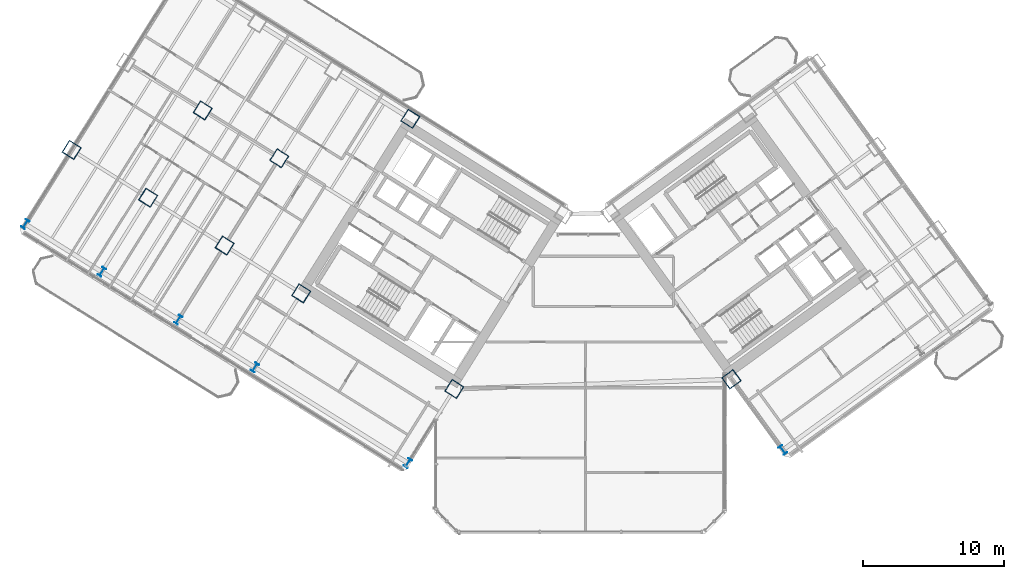
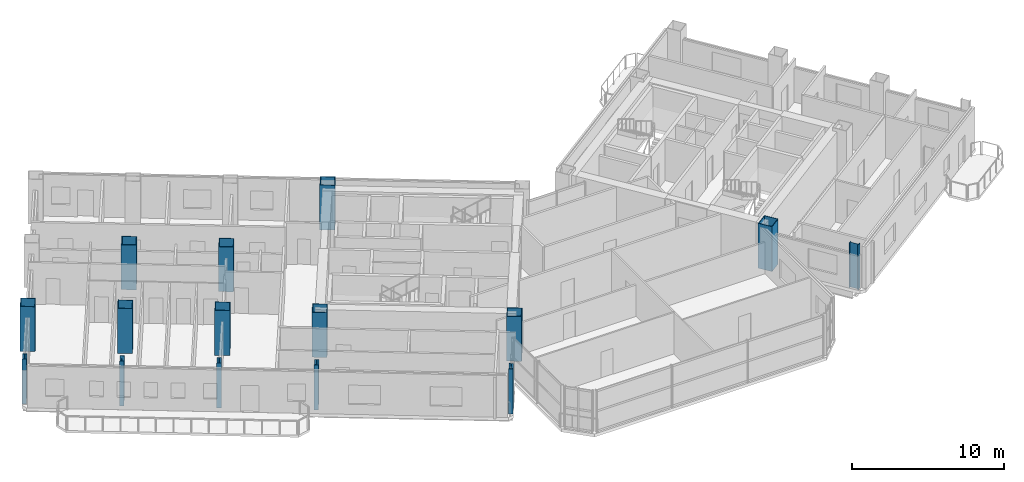
# One storey, part 1 of 28: 15 columns.
"""IFC4 building model written with IfcOpenShell, lengths in metres."""

from ifc_helpers import new_model, si_unit, direction, frame, origin, origin_2d, place, context, subcontext, project, spatial, hollow_rectangle, i_section, extrude, source, transform, mapped, material, material_profile, profile_set, type_object, element, save


model = new_model("IFC4")

# Units and contexts
model_context = context("Model", 3, precision=1e-05, world=origin(), true_north=direction((0.0, 1.0)))
body_context = subcontext(model_context, "Body", "Model", "MODEL_VIEW")
ifc_project = project(units=[si_unit("LENGTHUNIT", "METRE"), si_unit("AREAUNIT", "SQUARE_METRE"), si_unit("VOLUMEUNIT", "CUBIC_METRE"), si_unit("PLANEANGLEUNIT", "RADIAN"), si_unit("MASSUNIT", "GRAM", prefix="KILO")], contexts=[model_context])

# Site, building, storey
site_placement = place(None, origin())
site = spatial("IfcSite", under=ifc_project, at=site_placement, CompositionType="ELEMENT")
building_placement = place(site_placement, origin())
building = spatial("IfcBuilding", under=site, at=building_placement, Name="Tlacorven Tower", CompositionType="ELEMENT")
storey_placement = place(building_placement, frame((0.0, 0.0, 63.60009765625)))
storey = spatial("IfcBuildingStorey", under=building, at=storey_placement, Name="L16", CompositionType="ELEMENT", Elevation=63.60009765625)

# Columns
ifc_material = material(Name="Steel S460M", Category="steel")
ifc_material_profile_1 = material_profile(ifc_material, hollow_rectangle(XDim=1.0, YDim=1.0, WallThickness=0.0400390625, at=origin_2d()), Name="BOX 1000X1000X40")
ifc_profile_set_1 = profile_set([ifc_material_profile_1], Name="Steel S460M")
column_type_1 = type_object("IfcColumnType", Name="COL-TWR-S1", PredefinedType="COLUMN", material=ifc_profile_set_1)
shared_shape_1 = source(origin(), body_context, "Body", "SweptSolid", [
    extrude(hollow_rectangle(XDim=1.0, YDim=1.0, WallThickness=0.0400390625, at=origin_2d()), origin(), (0.0, 0.0, 1.0), 3.599853515625),
])
for number, where, z_axis, x_axis, name in (
    (1, (33.046142578125, 12.0869140625, 0.0), (0.0, 0.0, 1.0), (-0.848048096156, 0.529919264233, 0.0), "L16 column COL-L16-W1-3"),
    (2, (29.927978515625, 31.25146484375, 0.0), (0.0, 0.0, 1.0), (-0.848048096156, 0.529919264233, 0.0), "L16 column COL-L16-W3-1"),
    (3, (22.191162109375, 18.869873046875, 0.0), (0.0, 0.0, 1.0), (-0.848048096156, 0.529919264233, 0.0), "L16 column COL-L16-W3-3"),
    (4, (20.632080078125, 28.4521484375, 0.0), (0.0, 0.0, 1.0), (-0.848048096156, 0.529919264233, 0.0), "L16 column COL-L16-W4-2"),
    (5, (16.763671875, 22.26123046875, 0.0), (0.0, 0.0, 1.0), (-0.848048096156, 0.529919264233, 0.0), "L16 column COL-L16-W4-3"),
    (6, (15.20458984375, 31.843505859375, 0.0), (0.0, 0.0, 1.0), (-0.848048096156, 0.529919264233, 0.0), "L16 column COL-L16-W5-2"),
    (7, (11.336181640625, 25.65283203125, 0.0), (0.0, 0.0, 1.0), (-0.848048096156, 0.529919264233, 0.0), "L16 column COL-L16-W5-3"),
    (8, (5.90869140625, 29.044189453125, 0.0), (0.0, 0.0, 1.0), (-0.848048096156, 0.529919264233, 0.0), "L16 column COL-L16-W6-3"),
    (9, (52.705322265625, 12.7734375, 0.0), (0.0, 0.0, 1.0), (0.809016994375, 0.587785252292, 0.0), "L16 column COL-L16-E1-2"),
):
    element("IfcColumn", number, at=place(storey_placement, frame(where, z_axis=z_axis, x_axis=x_axis)), inside=storey, type_object=column_type_1, Name=name, PredefinedType="COLUMN", context=body_context, shape_type="MappedRepresentation", body=[
        mapped(shared_shape_1, transform((0.0, 0.0, 0.0), scale=1.0)),
    ])
ifc_material_profile_2 = material_profile(ifc_material, i_section(OverallWidth=0.300048828125, OverallDepth=0.64990234375, WebThickness=0.01611328125, FlangeThickness=0.031005859375, at=origin_2d()), Name="HEB 650")
ifc_profile_set_2 = profile_set([ifc_material_profile_2], Name="Steel S460M")
column_type_2 = type_object("IfcColumnType", Name="COL-TWR-P1", PredefinedType="COLUMN", material=ifc_profile_set_2)
shared_shape_2 = source(origin(), body_context, "Body", "SweptSolid", [
    extrude(i_section(OverallWidth=0.300048828125, OverallDepth=0.64990234375, WebThickness=0.01611328125, FlangeThickness=0.031005859375, at=origin_2d()), origin(), (0.0, 0.0, 1.0), 3.599853515625),
])
for number, where, z_axis, x_axis, name in (
    (10, (29.7607421875, 6.8291015625, 0.0), (0.0, 0.0, 1.0), (-0.848048096156, 0.529919264233, 0.0), "L16 column COL-L16-W1-4"),
    (11, (18.905517578125, 13.612060546875, 0.0), (0.0, 0.0, 1.0), (-0.848048096156, 0.529919264233, 0.0), "L16 column COL-L16-W3-4"),
    (12, (13.47802734375, 17.00341796875, 0.0), (0.0, 0.0, 1.0), (-0.848048096156, 0.529919264233, 0.0), "L16 column COL-L16-W4-4"),
    (13, (8.050537109375, 20.39501953125, 0.0), (0.0, 0.0, 1.0), (-0.848048096156, 0.529919264233, 0.0), "L16 column COL-L16-W5-4"),
    (14, (2.623046875, 23.786376953125, 0.0), (0.0, 0.0, 1.0), (-0.848048096156, 0.529919264233, 0.0), "L16 column COL-L16-W6-4"),
    (15, (56.349609375, 7.757568359375, 0.0), (0.0, 0.0, 1.0), (0.809016994375, 0.587785252292, 0.0), "L16 column COL-L16-E1-1"),
):
    element("IfcColumn", number, at=place(storey_placement, frame(where, z_axis=z_axis, x_axis=x_axis)), inside=storey, type_object=column_type_2, Name=name, PredefinedType="COLUMN", context=body_context, shape_type="MappedRepresentation", body=[
        mapped(shared_shape_2, transform((0.0, 0.0, 0.0), scale=1.0)),
    ])

save(model, "model.ifc")
